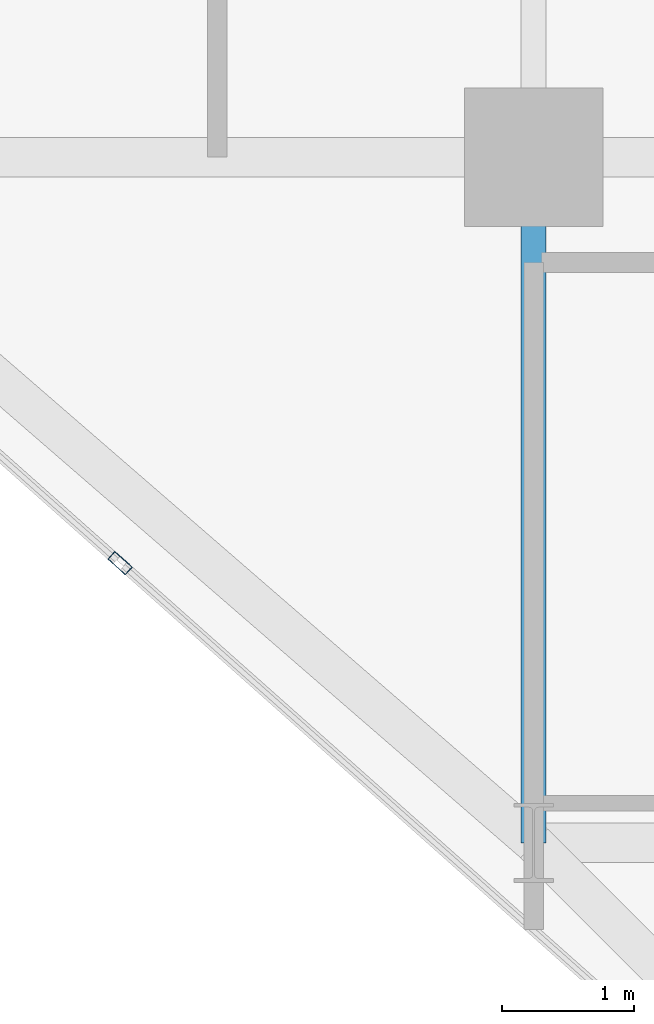
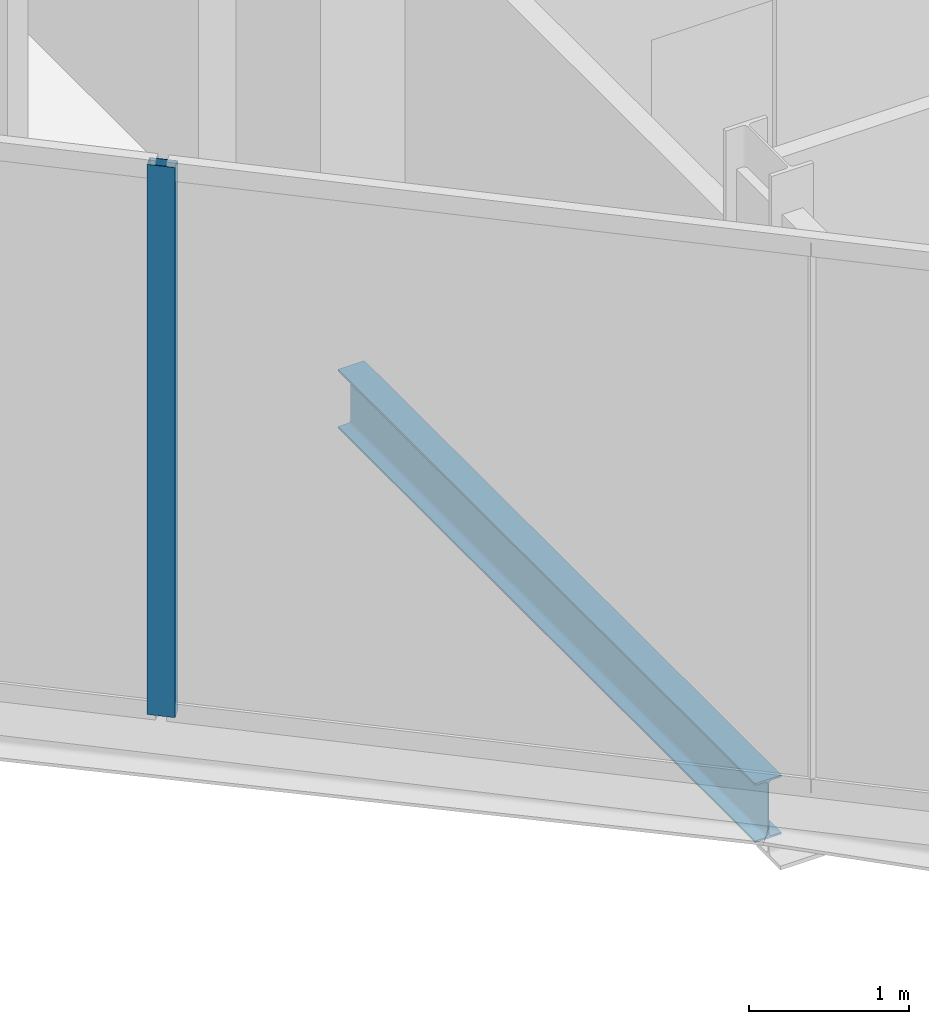
# One storey, part 3 of 31: 1 beam, 1 member, 1 element without a shape of its own.
"""IFC4 building model written with IfcOpenShell, lengths in metres."""

from ifc_helpers import new_model, si_unit, direction, frame, origin, origin_2d, place, context, subcontext, project, spatial, hollow_rectangle, i_section, extrude, material, layer, layer_set, material_profile, profile_set, type_object, element, aggregate, save


model = new_model("IFC4")

# Units and contexts
model_context = context("Model", 3, precision=1e-05, world=origin(), true_north=direction((0.0, 1.0)))
body_context = subcontext(model_context, "Body", "Model", "MODEL_VIEW")
ifc_project = project(units=[si_unit("LENGTHUNIT", "METRE"), si_unit("AREAUNIT", "SQUARE_METRE"), si_unit("VOLUMEUNIT", "CUBIC_METRE"), si_unit("PLANEANGLEUNIT", "RADIAN"), si_unit("MASSUNIT", "GRAM", prefix="KILO")], contexts=[model_context])

# Site, building, storey
site_placement = place(None, origin())
site = spatial("IfcSite", under=ifc_project, at=site_placement, CompositionType="ELEMENT")
building_placement = place(site_placement, origin())
building = spatial("IfcBuilding", under=site, at=building_placement, Name="Keshet Zoharim Tower", CompositionType="ELEMENT")
storey_placement = place(building_placement, frame((0.0, 0.0, 125.300048828125)))
storey = spatial("IfcBuildingStorey", under=building, at=storey_placement, Name="L30", CompositionType="ELEMENT", Elevation=125.300048828125)

# Beam
ifc_material_1 = material(Name="Steel S355", Category="steel")
ifc_material_profile_1 = material_profile(ifc_material_1, i_section(OverallWidth=0.18994140625, OverallDepth=0.449951171875, WebThickness=0.009521484375, FlangeThickness=0.0146484375, FilletRadius=0.02099609375, at=origin_2d()), Name="IPE450")
ifc_profile_set_1 = profile_set([ifc_material_profile_1], Name="Steel S355")
beam_type = type_object("IfcBeamType", Name="BM-PRI-IP450", PredefinedType="BEAM", material=ifc_profile_set_1)
beam_placement = place(storey_placement, frame((15.0, 12.699951171875, -0.545166015625), z_axis=(0.0, 1.0, 0.0), x_axis=(-1.0, 0.0, 0.0)))
element("IfcBeam", 1, at=beam_placement, inside=storey, type_object=beam_type, Name="L30 Primary Girder Y-002", PredefinedType="BEAM", context=body_context, shape_type="SweptSolid", body=[
    extrude(i_section(OverallWidth=0.18994140625, OverallDepth=0.449951171875, WebThickness=0.009521484375, FlangeThickness=0.0146484375, FilletRadius=0.02099609375, at=origin_2d()), origin(), (0.0, 0.0, 1.0), 5.199951171875),
])

# Curtain wall, member
ifc_material_2 = material(Name="Aluminium 6063-T6", Category="aluminium")
ifc_layer = layer(ifc_material_2, 0.14990234375)
ifc_layer_set = layer_set([ifc_layer], Name="Aluminium 6063-T6")
curtain_wall_type = type_object("IfcCurtainWallType", Name="CW-SYS-04", PredefinedType="NOTDEFINED", material=ifc_layer_set)
curtain_wall_placement = place(storey_placement, origin())
curtain_wall = element("IfcCurtainWall", 2, at=curtain_wall_placement, inside=storey, type_object=curtain_wall_type, Name="L30 Unitised Curtain Wall 13 Part 2", PredefinedType="NOTDEFINED")
ifc_material_profile_2 = material_profile(ifc_material_2, hollow_rectangle(XDim=0.080078125, YDim=0.179931640625, WallThickness=0.00439453125, at=origin_2d()), Name="MUL-80x180")
ifc_profile_set_2 = profile_set([ifc_material_profile_2], Name="Aluminium 6063-T6")
member_type = type_object("IfcMemberType", Name="CWM-M18", PredefinedType="MULLION", material=ifc_profile_set_2)
member_placement = place(storey_placement, frame((11.863525390625, 14.8212890625, 0.0), z_axis=(0.0, 0.0, 1.0), x_axis=(-0.664362653641, -0.747410372184, 0.0)))
member = element("IfcMember", 3, at=member_placement, type_object=member_type, Name="CW-04 mullion 2", PredefinedType="MULLION", context=body_context, shape_type="SweptSolid", body=[
    extrude(hollow_rectangle(XDim=0.080078125, YDim=0.179931640625, WallThickness=0.00439453125, at=origin_2d()), origin(), (0.0, 0.0, 1.0), 4.18505859375),
])
aggregate(curtain_wall, [member])

save(model, "model.ifc")
